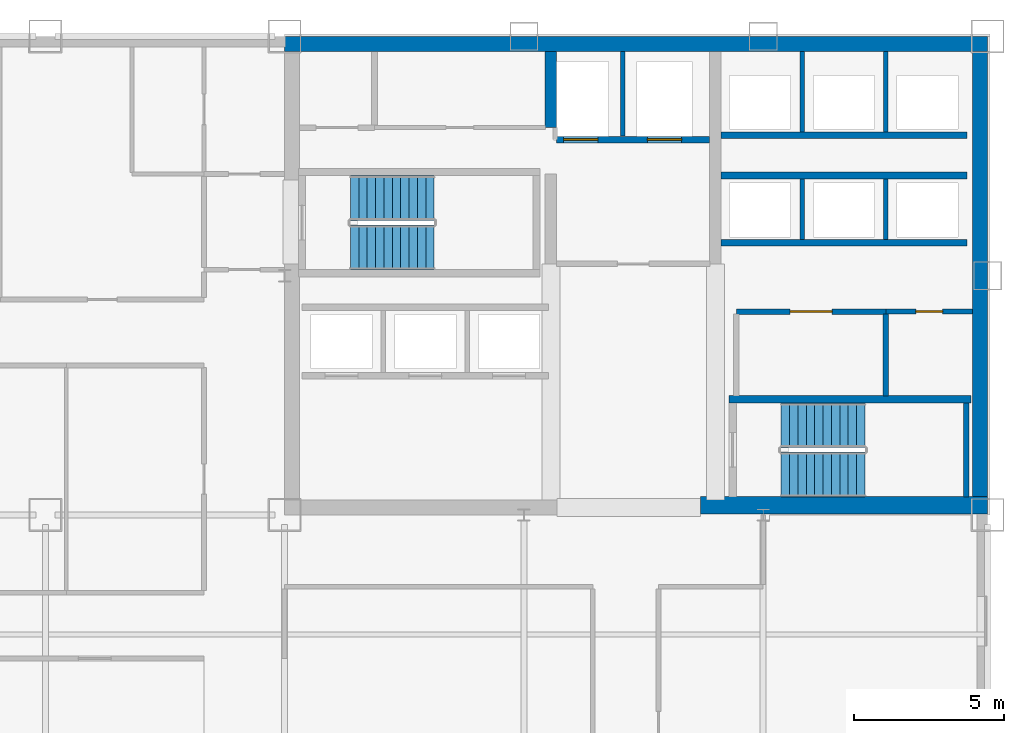
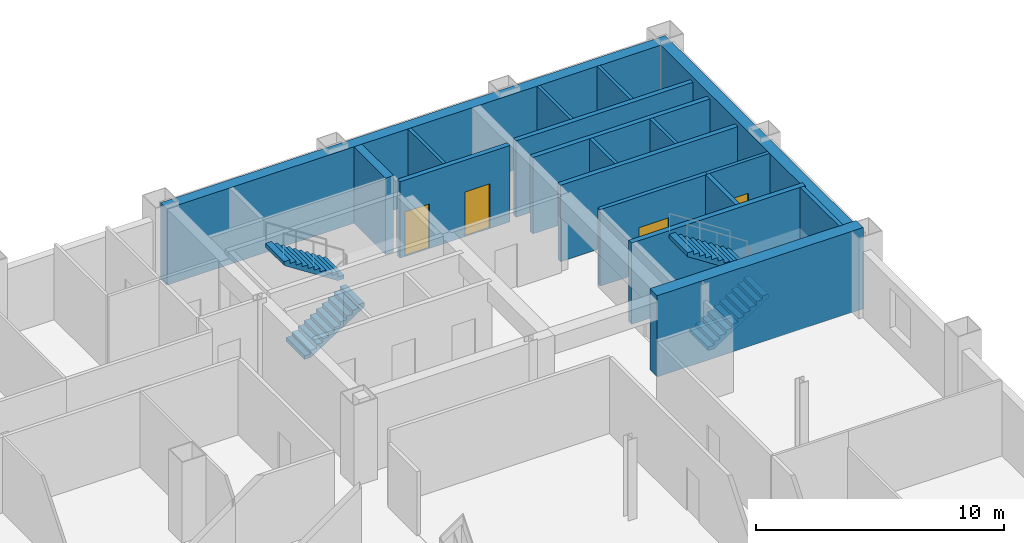
# One storey, part 8 of 10: 18 walls, 4 doors, 4 stair flights, 4 openings, 2 elements without a shape of their own.
"""IFC4 building model written with IfcOpenShell, lengths in metres."""

from ifc_helpers import new_model, si_unit, direction, frame, frame_2d, origin, place, context, subcontext, project, spatial, polyline, rectangle, outline, extrude, material, layer, layer_set, type_object, element, fill, aggregate, save


model = new_model("IFC4")

# Units and contexts
model_context = context("Model", 3, precision=1e-05, world=origin(), true_north=direction((0.0, 1.0)))
body_context = subcontext(model_context, "Body", "Model", "MODEL_VIEW")
ifc_project = project(units=[si_unit("LENGTHUNIT", "METRE"), si_unit("AREAUNIT", "SQUARE_METRE"), si_unit("VOLUMEUNIT", "CUBIC_METRE"), si_unit("PLANEANGLEUNIT", "RADIAN"), si_unit("MASSUNIT", "GRAM", prefix="KILO")], contexts=[model_context])

# Site, building, storey
site_placement = place(None, origin())
site = spatial("IfcSite", under=ifc_project, at=site_placement, CompositionType="ELEMENT")
building_placement = place(site_placement, origin())
building = spatial("IfcBuilding", under=site, at=building_placement, Name="Qianrong Seaharbour Tower", CompositionType="ELEMENT")
storey_placement = place(building_placement, frame((0.0, 0.0, 179.0)))
storey = spatial("IfcBuildingStorey", under=building, at=storey_placement, Name="L43", CompositionType="ELEMENT", Elevation=179.0)

# Walls
ifc_material_1 = material(Name="Concrete C60/75", Category="concrete")
ifc_layer_1 = layer(ifc_material_1, 0.5)
ifc_layer_set_1 = layer_set([ifc_layer_1], Name="Concrete C60/75")
wall_type_1 = type_object("IfcWallType", Name="WALL-CORE-500", PredefinedType="SHEAR", material=ifc_layer_set_1)
wall_1_placement = place(storey_placement, frame((40.5, 51.75, 0.0), z_axis=(0.0, 0.0, 1.0), x_axis=(1.0, 0.0, 0.0)))
element("IfcWall", 1, at=wall_1_placement, inside=storey, type_object=wall_type_1, Name="L43 North Core Shear Wall", PredefinedType="SHEAR", context=body_context, shape_type="SweptSolid", body=[
    extrude(rectangle(XDim=23.5, YDim=0.5, at=frame_2d((11.75, 0.0))), origin(), (0.0, 0.0, 1.0), 3.764892578125),
])
wall_2_placement = place(storey_placement, frame((63.75, 36.320068359375, 0.0), z_axis=(0.0, 0.0, 1.0), x_axis=(0.0, 1.0, 0.0)))
element("IfcWall", 2, at=wall_2_placement, inside=storey, type_object=wall_type_1, Name="L43 East Core Shear Wall", PredefinedType="SHEAR", context=body_context, shape_type="SweptSolid", body=[
    extrude(rectangle(XDim=15.179931640625, YDim=0.5, at=frame_2d((7.58984375, 0.0))), origin(), (0.0, 0.0, 1.0), 3.764892578125),
])
ifc_material_2 = material(Name="Concrete C70/85", Category="concrete")
ifc_layer_2 = layer(ifc_material_2, 0.580078125)
ifc_layer_set_2 = layer_set([ifc_layer_2], Name="Concrete C70/85")
wall_type_2 = type_object("IfcWallType", Name="WALL-CORE-580", PredefinedType="SHEAR", material=ifc_layer_set_2)
wall_3_placement = place(storey_placement, frame((54.39990234375, 36.320068359375, 0.0), z_axis=(0.0, 0.0, 1.0), x_axis=(1.0, 0.0, 0.0)))
element("IfcWall", 3, at=wall_3_placement, inside=storey, type_object=wall_type_2, Name="L43 South Core Shear Wall S3", PredefinedType="SHEAR", context=body_context, shape_type="SweptSolid", body=[
    extrude(rectangle(XDim=9.60009765625, YDim=0.580078125, at=frame_2d((4.800048828125, 0.0))), origin(), (0.0, 0.0, 1.0), 4.0),
])
ifc_layer_3 = layer(ifc_material_1, 0.3798828125)
ifc_layer_set_3 = layer_set([ifc_layer_3], Name="Concrete C60/75")
wall_type_3 = type_object("IfcWallType", Name="WALL-CORE-INT-380", PredefinedType="SHEAR", material=ifc_layer_set_3)
wall_4_placement = place(storey_placement, frame((49.39990234375, 48.949951171875, 0.0), z_axis=(0.0, 0.0, 1.0), x_axis=(0.0, 1.0, 0.0)))
element("IfcWall", 4, at=wall_4_placement, inside=storey, type_object=wall_type_3, Name="L43 Internal Core Shear Wall IW1N2", PredefinedType="SHEAR", context=body_context, shape_type="SweptSolid", body=[
    extrude(rectangle(XDim=2.550048828125, YDim=0.3798828125, at=frame_2d((1.27490234375, 0.0))), origin(), (0.0, 0.0, 1.0), 3.764892578125),
])

# Wall, opening, door
ifc_material_3 = material(Name="Fire-rated acoustic gypsum board partition")
ifc_layer_4 = layer(ifc_material_3, 0.1650390625)
ifc_layer_set_4 = layer_set([ifc_layer_4], Name="Fire-rated acoustic gypsum board partition")
wall_type_4 = type_object("IfcWallType", Name="WALL-CORR-PART-165", PredefinedType="PARTITIONING", material=ifc_layer_set_4)
wall_5_placement = place(storey_placement, frame((63.5, 42.800048828125, 0.0), z_axis=(0.0, 0.0, 1.0), x_axis=(-1.0, 0.0, 0.0)))
wall_5 = element("IfcWall", 5, at=wall_5_placement, inside=storey, type_object=wall_type_4, Name="L43 Interior Partition Wall 012", PredefinedType="PARTITIONING", context=body_context, shape_type="SweptSolid", body=[
    extrude(rectangle(XDim=2.89990234375, YDim=0.1650390625, at=frame_2d((1.449951171875, 0.0))), origin(), (0.0, 0.0, 1.0), 3.764892578125),
])
opening_1_placement = place(wall_5_placement, frame((1.0, 0.0, 0.0)))
opening_1 = element("IfcOpeningElement", 6, at=opening_1_placement, cuts=wall_5, Name="Opening DS-01", PredefinedType="OPENING", context=body_context, shape_type="SweptSolid", body=[
    extrude(rectangle(XDim=0.89990234375, YDim=2.14990234375, at=frame_2d((0.449951171875, 1.074951171875))), frame((0.0, 0.092529296875, 0.0), z_axis=(0.0, -1.0, 0.0), x_axis=(1.0, 0.0, 0.0)), (0.0, 0.0, 1.0), 0.18505859375),
])
ifc_material_4 = material(Name="Acoustic timber and galvanized steel fire door assembly", Category="steel")
door_type_1 = type_object("IfcDoorType", Name="DOOR-STORE-900x2150", OperationType="NOTDEFINED", PredefinedType="DOOR", material=ifc_material_4)
door_1_placement = place(opening_1_placement, origin())
door_1 = element("IfcDoor", 7, at=door_1_placement, inside=storey, type_object=door_type_1, Name="L43 Housekeeping Linen Store Door", OperationType="SINGLE_SWING_RIGHT", OverallHeight=2.14990234375, OverallWidth=0.89990234375, PredefinedType="DOOR", context=body_context, shape_type="SweptSolid", body=[
    extrude(rectangle(XDim=0.89990234375, YDim=2.14990234375, at=frame_2d((0.449951171875, 1.074951171875))), frame((0.0, 0.02490234375, 0.0), z_axis=(0.0, -1.0, 0.0), x_axis=(1.0, 0.0, 0.0)), (0.0, 0.0, 1.0), 0.050048828125),
])
fill(opening_1, door_1)

ifc_material_5 = material(Name="Double fire-rated gypsum board acoustic partition")
ifc_layer_5 = layer(ifc_material_5, 0.18994140625)
ifc_layer_set_5 = layer_set([ifc_layer_5], Name="Double fire-rated gypsum board acoustic partition")
wall_type_5 = type_object("IfcWallType", Name="WALL-FIRE-PART-190", PredefinedType="PARTITIONING", material=ifc_layer_set_5)
wall_6_placement = place(storey_placement, frame((60.60009765625, 42.800048828125, 0.0), z_axis=(0.0, 0.0, 1.0), x_axis=(-1.0, 0.0, 0.0)))
wall_6 = element("IfcWall", 8, at=wall_6_placement, inside=storey, type_object=wall_type_5, Name="L43 Interior Partition Wall 011", PredefinedType="PARTITIONING", context=body_context, shape_type="SweptSolid", body=[
    extrude(rectangle(XDim=5.0, YDim=0.18994140625, at=frame_2d((2.5, 0.0))), origin(), (0.0, 0.0, 1.0), 3.764892578125),
])
opening_2_placement = place(wall_6_placement, frame((1.800048828125, 0.0, 0.0)))
opening_2 = element("IfcOpeningElement", 9, at=opening_2_placement, cuts=wall_6, Name="Opening DP-01", PredefinedType="OPENING", context=body_context, shape_type="SweptSolid", body=[
    extrude(rectangle(XDim=1.39990234375, YDim=2.25, at=frame_2d((0.699951171875, 1.125))), frame((0.0, 0.10498046875, 0.0), z_axis=(0.0, -1.0, 0.0), x_axis=(1.0, 0.0, 0.0)), (0.0, 0.0, 1.0), 0.2099609375),
])
door_type_2 = type_object("IfcDoorType", Name="DOOR-PLANT-PAIR-1400x2250", OperationType="DOUBLE_DOOR_SINGLE_SWING", PredefinedType="DOOR", material=ifc_material_4)
door_2_placement = place(opening_2_placement, origin())
door_2 = element("IfcDoor", 10, at=door_2_placement, inside=storey, type_object=door_type_2, Name="L43 Submetering Switch Room Door", OperationType="DOUBLE_DOOR_SINGLE_SWING", OverallHeight=2.25, OverallWidth=1.39990234375, PredefinedType="DOOR", context=body_context, shape_type="SweptSolid", body=[
    extrude(rectangle(XDim=1.39990234375, YDim=2.25, at=frame_2d((0.699951171875, 1.125))), frame((0.0, 0.02490234375, 0.0), z_axis=(0.0, -1.0, 0.0), x_axis=(1.0, 0.0, 0.0)), (0.0, 0.0, 1.0), 0.050048828125),
])
fill(opening_2, door_2)

# Walls
wall_7_placement = place(storey_placement, frame((60.60009765625, 42.712890625, 0.0), z_axis=(0.0, 0.0, 1.0), x_axis=(0.0, -1.0, 0.0)))
element("IfcWall", 11, at=wall_7_placement, inside=storey, type_object=wall_type_5, Name="L43 Interior Partition Wall 014", PredefinedType="PARTITIONING", context=body_context, shape_type="SweptSolid", body=[
    extrude(rectangle(XDim=2.73095703125, YDim=0.18994140625, at=frame_2d((1.365478515625, 0.0))), origin(), (0.0, 0.0, 1.0), 3.764892578125),
])
ifc_material_6 = material(Name="Fire-rated gypsum board on steel studs", Category="steel")
ifc_layer_6 = layer(ifc_material_6, 0.14990234375)
ifc_layer_set_6 = layer_set([ifc_layer_6], Name="Fire-rated gypsum board on steel studs")
wall_type_6 = type_object("IfcWallType", Name="WALL-SHAFT-DIV-150", PredefinedType="PARTITIONING", material=ifc_layer_set_6)
wall_8_placement = place(storey_placement, frame((51.800048828125, 48.669921875, 0.0), z_axis=(0.0, 0.0, 1.0), x_axis=(0.0, 1.0, 0.0)))
element("IfcWall", 12, at=wall_8_placement, inside=storey, type_object=wall_type_6, Name="L43 Firefighting Lift Shaft Divider Wall", PredefinedType="PARTITIONING", context=body_context, shape_type="SweptSolid", body=[
    extrude(rectangle(XDim=2.830078125, YDim=0.14990234375, at=frame_2d((1.4150390625, 0.0))), origin(), (0.0, 0.0, 1.0), 3.764892578125),
])
for number, where, z_axis, x_axis, name in (
    (13, (57.800048828125, 45.2099609375, 0.0), (0.0, 0.0, 1.0), (0.0, 1.0, 0.0), "L43 P3 Lift Hoistway Divider 2"),
    (14, (60.60009765625, 45.2099609375, 0.0), (0.0, 0.0, 1.0), (0.0, 1.0, 0.0), "L43 P3 Lift Hoistway Divider 3"),
):
    element("IfcWall", number, at=place(storey_placement, frame(where, z_axis=z_axis, x_axis=x_axis)), inside=storey, type_object=wall_type_6, Name=name, PredefinedType="PARTITIONING", context=body_context, shape_type="SweptSolid", body=[
        extrude(rectangle(XDim=2.030029296875, YDim=0.14990234375, at=frame_2d((1.01513671875, 0.0))), origin(), (0.0, 0.0, 1.0), 3.764892578125),
    ])
for number, where, z_axis, x_axis, name in (
    (15, (57.800048828125, 48.81005859375, 0.0), (0.0, 0.0, 1.0), (0.0, 1.0, 0.0), "L43 P4 Lift Hoistway Divider 2"),
    (16, (60.60009765625, 48.81005859375, 0.0), (0.0, 0.0, 1.0), (0.0, 1.0, 0.0), "L43 P4 Lift Hoistway Divider 3"),
):
    element("IfcWall", number, at=place(storey_placement, frame(where, z_axis=z_axis, x_axis=x_axis)), inside=storey, type_object=wall_type_6, Name=name, PredefinedType="PARTITIONING", context=body_context, shape_type="SweptSolid", body=[
        extrude(rectangle(XDim=2.68994140625, YDim=0.14990234375, at=frame_2d((1.344970703125, 0.0))), origin(), (0.0, 0.0, 1.0), 3.764892578125),
    ])

# Wall, openings, doors
ifc_layer_7 = layer(ifc_material_6, 0.219970703125)
ifc_layer_set_7 = layer_set([ifc_layer_7], Name="Fire-rated gypsum board on steel studs")
wall_type_7 = type_object("IfcWallType", Name="WALL-SHAFT-GYP220", PredefinedType="PARTITIONING", material=ifc_layer_set_7)
wall_9_placement = place(storey_placement, frame((54.7099609375, 48.550048828125, 0.0), z_axis=(0.0, 0.0, 1.0), x_axis=(-1.0, 0.0, 0.0)))
wall_9 = element("IfcWall", 17, at=wall_9_placement, inside=storey, type_object=wall_type_7, Name="L43 Firefighting Lift Shaft Front Wall", PredefinedType="PARTITIONING", context=body_context, shape_type="SweptSolid", body=[
    extrude(rectangle(XDim=5.119873046875, YDim=0.219970703125, at=frame_2d((2.56005859375, 0.0))), origin(), (0.0, 0.0, 1.0), 3.764892578125),
])
opening_3_placement = place(wall_9_placement, frame((3.735107421875, 0.0, 0.0)))
opening_3 = element("IfcOpeningElement", 18, at=opening_3_placement, cuts=wall_9, Name="Opening LD-01", PredefinedType="OPENING", context=body_context, shape_type="SweptSolid", body=[
    extrude(rectangle(XDim=1.14990234375, YDim=2.199951171875, at=frame_2d((0.574951171875, 1.10009765625))), frame((0.0, 0.1201171875, 0.0), z_axis=(0.0, -1.0, 0.0), x_axis=(1.0, 0.0, 0.0)), (0.0, 0.0, 1.0), 0.239990234375),
])
opening_4_placement = place(wall_9_placement, frame((0.93505859375, 0.0, 0.0)))
opening_4 = element("IfcOpeningElement", 19, at=opening_4_placement, cuts=wall_9, Name="Opening LD-01", PredefinedType="OPENING", context=body_context, shape_type="SweptSolid", body=[
    extrude(rectangle(XDim=1.14990234375, YDim=2.199951171875, at=frame_2d((0.574951171875, 1.10009765625))), frame((0.0, 0.1201171875, 0.0), z_axis=(0.0, -1.0, 0.0), x_axis=(1.0, 0.0, 0.0)), (0.0, 0.0, 1.0), 0.239990234375),
])
ifc_material_7 = material(Name="Stainless steel SUS316L bi-parting lift landing door", Category="steel")
door_type_3 = type_object("IfcDoorType", Name="DOOR-LIFT-FF-1150x2200", OperationType="DOUBLE_DOOR_SLIDING", PredefinedType="DOOR", material=ifc_material_7)
door_3_placement = place(opening_3_placement, origin())
door_3 = element("IfcDoor", 20, at=door_3_placement, inside=storey, type_object=door_type_3, Name="L43 FL-1 Firefighting Lift Landing Door", OperationType="DOUBLE_DOOR_SLIDING", OverallHeight=2.199951171875, OverallWidth=1.14990234375, PredefinedType="DOOR", context=body_context, shape_type="SweptSolid", body=[
    extrude(rectangle(XDim=1.14990234375, YDim=2.199951171875, at=frame_2d((0.574951171875, 1.10009765625))), frame((0.0, 0.02490234375, 0.0), z_axis=(0.0, -1.0, 0.0), x_axis=(1.0, 0.0, 0.0)), (0.0, 0.0, 1.0), 0.050048828125),
])
fill(opening_3, door_3)
door_4_placement = place(opening_4_placement, origin())
door_4 = element("IfcDoor", 21, at=door_4_placement, inside=storey, type_object=door_type_3, Name="L43 FL-2 Firefighting Lift Landing Door", OperationType="DOUBLE_DOOR_SLIDING", OverallHeight=2.199951171875, OverallWidth=1.14990234375, PredefinedType="DOOR", context=body_context, shape_type="SweptSolid", body=[
    extrude(rectangle(XDim=1.14990234375, YDim=2.199951171875, at=frame_2d((0.574951171875, 1.10009765625))), frame((0.0, 0.02490234375, 0.0), z_axis=(0.0, -1.0, 0.0), x_axis=(1.0, 0.0, 0.0)), (0.0, 0.0, 1.0), 0.050048828125),
])
fill(opening_4, door_4)

# Walls
for number, where, z_axis, x_axis, name in (
    (22, (63.320068359375, 45.10009765625, 0.0), (0.0, 0.0, 1.0), (-1.0, 0.0, 0.0), "L43 P3 Lift Hoistway Front Wall"),
    (23, (55.080078125, 47.35009765625, 0.0), (0.0, 0.0, 1.0), (1.0, 0.0, 0.0), "L43 P3 Lift Hoistway Back Wall"),
    (24, (63.320068359375, 48.699951171875, 0.0), (0.0, 0.0, 1.0), (-1.0, 0.0, 0.0), "L43 P4 Lift Hoistway Front Wall"),
):
    element("IfcWall", number, at=place(storey_placement, frame(where, z_axis=z_axis, x_axis=x_axis)), inside=storey, type_object=wall_type_7, Name=name, PredefinedType="PARTITIONING", context=body_context, shape_type="SweptSolid", body=[
        extrude(rectangle(XDim=8.239990234375, YDim=0.219970703125, at=frame_2d((4.1201171875, 0.0))), origin(), (0.0, 0.0, 1.0), 3.764892578125),
    ])
ifc_material_8 = material(Name="Concrete C50/60", Category="concrete")
ifc_layer_8 = layer(ifc_material_8, 0.239990234375)
ifc_layer_set_8 = layer_set([ifc_layer_8], Name="Concrete C50/60")
wall_type_8 = type_object("IfcWallType", Name="WALL-SHAFT-RC240", PredefinedType="SOLIDWALL", material=ifc_layer_set_8)
wall_10_placement = place(storey_placement, frame((55.360107421875, 39.8701171875, 0.0), z_axis=(0.0, 0.0, 1.0), x_axis=(1.0, 0.0, 0.0)))
element("IfcWall", 25, at=wall_10_placement, inside=storey, type_object=wall_type_8, Name="L43 ST-2 Structural Stair Core Wall N", PredefinedType="SOLIDWALL", context=body_context, shape_type="SweptSolid", body=[
    extrude(rectangle(XDim=8.079833984375, YDim=0.239990234375, at=frame_2d((4.0400390625, 0.0))), origin(), (0.0, 0.0, 1.0), 4.0),
])
wall_11_placement = place(storey_placement, frame((63.2900390625, 36.60009765625, 0.0), z_axis=(0.0, 0.0, 1.0), x_axis=(0.0, 1.0, 0.0)))
element("IfcWall", 26, at=wall_11_placement, inside=storey, type_object=wall_type_8, Name="L43 ST-2 Structural Stair Core Wall E", PredefinedType="SOLIDWALL", context=body_context, shape_type="SweptSolid", body=[
    extrude(rectangle(XDim=3.14990234375, YDim=0.179931640625, at=frame_2d((1.574951171875, 0.0))), origin(), (0.0, 0.0, 1.0), 4.0),
])

# Stair, stair flights
stair_type = type_object("IfcStairType", Name="STAIR-DOGLEG-1500-R22", PredefinedType="HALF_TURN_STAIR", material=ifc_material_8)
stair_1_placement = place(storey_placement, origin())
stair_1 = element("IfcStair", 27, at=stair_1_placement, inside=storey, type_object=stair_type, Name="L43 Protected Escape Stair ST-1", PredefinedType="HALF_TURN_STAIR")
stair_flight_type = type_object("IfcStairFlightType", Name="FLIGHT-STR-1500-R22", PredefinedType="STRAIGHT", material=ifc_material_8)
stair_flight_1_placement = place(storey_placement, frame((42.699951171875, 44.949951171875, 0.0), z_axis=(0.0, 0.0, 1.0), x_axis=(1.0, 0.0, 0.0)))
stair_flight_1 = element("IfcStairFlight", 28, at=stair_flight_1_placement, type_object=stair_flight_type, Name="ST-1 flight 1", NumberOfRisers=11, NumberOfTreads=10, PredefinedType="STRAIGHT", RiserHeight=0.181818182, TreadLength=0.28, context=body_context, shape_type="SweptSolid", body=[
    extrude(outline(polyline([(0.0, 0.0), (0.0, 0.181884765625), (0.280029296875, 0.181884765625), (0.280029296875, 0.363525390625), (0.56005859375, 0.363525390625), (0.56005859375, 0.54541015625), (0.840087890625, 0.54541015625), (0.840087890625, 0.727294921875), (1.1201171875, 0.727294921875), (1.1201171875, 0.9091796875), (1.39990234375, 0.9091796875), (1.39990234375, 1.0908203125), (1.679931640625, 1.0908203125), (1.679931640625, 1.272705078125), (1.9599609375, 1.272705078125), (1.9599609375, 1.45458984375), (2.239990234375, 1.45458984375), (2.239990234375, 1.636474609375), (2.52001953125, 1.636474609375), (2.52001953125, 1.818115234375), (2.800048828125, 1.818115234375), (2.800048828125, 2.0), (2.800048828125, 1.62744140625), (0.293701171875, 0.0), (0.0, 0.0)])), frame((0.0, 0.75, 0.0), z_axis=(0.0, -1.0, 0.0), x_axis=(1.0, 0.0, 0.0)), (0.0, 0.0, 1.0), 1.5),
])
stair_flight_2_placement = place(storey_placement, frame((45.5, 46.60009765625, 2.0), z_axis=(0.0, 0.0, 1.0), x_axis=(-1.0, 0.0, 0.0)))
stair_flight_2 = element("IfcStairFlight", 29, at=stair_flight_2_placement, type_object=stair_flight_type, Name="ST-1 flight 2", NumberOfRisers=11, NumberOfTreads=10, PredefinedType="STRAIGHT", RiserHeight=0.181818182, TreadLength=0.28, context=body_context, shape_type="SweptSolid", body=[
    extrude(outline(polyline([(0.0, 0.0), (0.0, 0.181884765625), (0.280029296875, 0.181884765625), (0.280029296875, 0.363525390625), (0.56005859375, 0.363525390625), (0.56005859375, 0.54541015625), (0.840087890625, 0.54541015625), (0.840087890625, 0.727294921875), (1.1201171875, 0.727294921875), (1.1201171875, 0.9091796875), (1.39990234375, 0.9091796875), (1.39990234375, 1.0908203125), (1.679931640625, 1.0908203125), (1.679931640625, 1.272705078125), (1.9599609375, 1.272705078125), (1.9599609375, 1.45458984375), (2.239990234375, 1.45458984375), (2.239990234375, 1.636474609375), (2.52001953125, 1.636474609375), (2.52001953125, 1.818115234375), (2.800048828125, 1.818115234375), (2.800048828125, 2.0), (2.800048828125, 1.62744140625), (0.293701171875, 0.0), (0.0, 0.0)])), frame((0.0, 0.75, 0.0), z_axis=(0.0, -1.0, 0.0), x_axis=(1.0, 0.0, 0.0)), (0.0, 0.0, 1.0), 1.5),
])
aggregate(stair_1, [stair_flight_1, stair_flight_2])

stair_2_placement = place(storey_placement, origin())
stair_2 = element("IfcStair", 30, at=stair_2_placement, inside=storey, type_object=stair_type, Name="L43 Protected Escape Stair ST-2", PredefinedType="HALF_TURN_STAIR")
stair_flight_3_placement = place(storey_placement, frame((57.10009765625, 37.35009765625, 0.0), z_axis=(0.0, 0.0, 1.0), x_axis=(1.0, 0.0, 0.0)))
stair_flight_3 = element("IfcStairFlight", 31, at=stair_flight_3_placement, type_object=stair_flight_type, Name="ST-2 flight 1", NumberOfRisers=11, NumberOfTreads=10, PredefinedType="STRAIGHT", RiserHeight=0.181818182, TreadLength=0.28, context=body_context, shape_type="SweptSolid", body=[
    extrude(outline(polyline([(0.0, 0.0), (0.0, 0.181884765625), (0.280029296875, 0.181884765625), (0.280029296875, 0.363525390625), (0.56005859375, 0.363525390625), (0.56005859375, 0.54541015625), (0.840087890625, 0.54541015625), (0.840087890625, 0.727294921875), (1.1201171875, 0.727294921875), (1.1201171875, 0.9091796875), (1.39990234375, 0.9091796875), (1.39990234375, 1.0908203125), (1.679931640625, 1.0908203125), (1.679931640625, 1.272705078125), (1.9599609375, 1.272705078125), (1.9599609375, 1.45458984375), (2.239990234375, 1.45458984375), (2.239990234375, 1.636474609375), (2.52001953125, 1.636474609375), (2.52001953125, 1.818115234375), (2.800048828125, 1.818115234375), (2.800048828125, 2.0), (2.800048828125, 1.62744140625), (0.293701171875, 0.0), (0.0, 0.0)])), frame((0.0, 0.75, 0.0), z_axis=(0.0, -1.0, 0.0), x_axis=(1.0, 0.0, 0.0)), (0.0, 0.0, 1.0), 1.5),
])
stair_flight_4_placement = place(storey_placement, frame((59.89990234375, 39.0, 2.0), z_axis=(0.0, 0.0, 1.0), x_axis=(-1.0, 0.0, 0.0)))
stair_flight_4 = element("IfcStairFlight", 32, at=stair_flight_4_placement, type_object=stair_flight_type, Name="ST-2 flight 2", NumberOfRisers=11, NumberOfTreads=10, PredefinedType="STRAIGHT", RiserHeight=0.181818182, TreadLength=0.28, context=body_context, shape_type="SweptSolid", body=[
    extrude(outline(polyline([(0.0, 0.0), (0.0, 0.181884765625), (0.280029296875, 0.181884765625), (0.280029296875, 0.363525390625), (0.56005859375, 0.363525390625), (0.56005859375, 0.54541015625), (0.840087890625, 0.54541015625), (0.840087890625, 0.727294921875), (1.1201171875, 0.727294921875), (1.1201171875, 0.9091796875), (1.39990234375, 0.9091796875), (1.39990234375, 1.0908203125), (1.679931640625, 1.0908203125), (1.679931640625, 1.272705078125), (1.9599609375, 1.272705078125), (1.9599609375, 1.45458984375), (2.239990234375, 1.45458984375), (2.239990234375, 1.636474609375), (2.52001953125, 1.636474609375), (2.52001953125, 1.818115234375), (2.800048828125, 1.818115234375), (2.800048828125, 2.0), (2.800048828125, 1.62744140625), (0.293701171875, 0.0), (0.0, 0.0)])), frame((0.0, 0.75, 0.0), z_axis=(0.0, -1.0, 0.0), x_axis=(1.0, 0.0, 0.0)), (0.0, 0.0, 1.0), 1.5),
])
aggregate(stair_2, [stair_flight_3, stair_flight_4])

save(model, "model.ifc")
